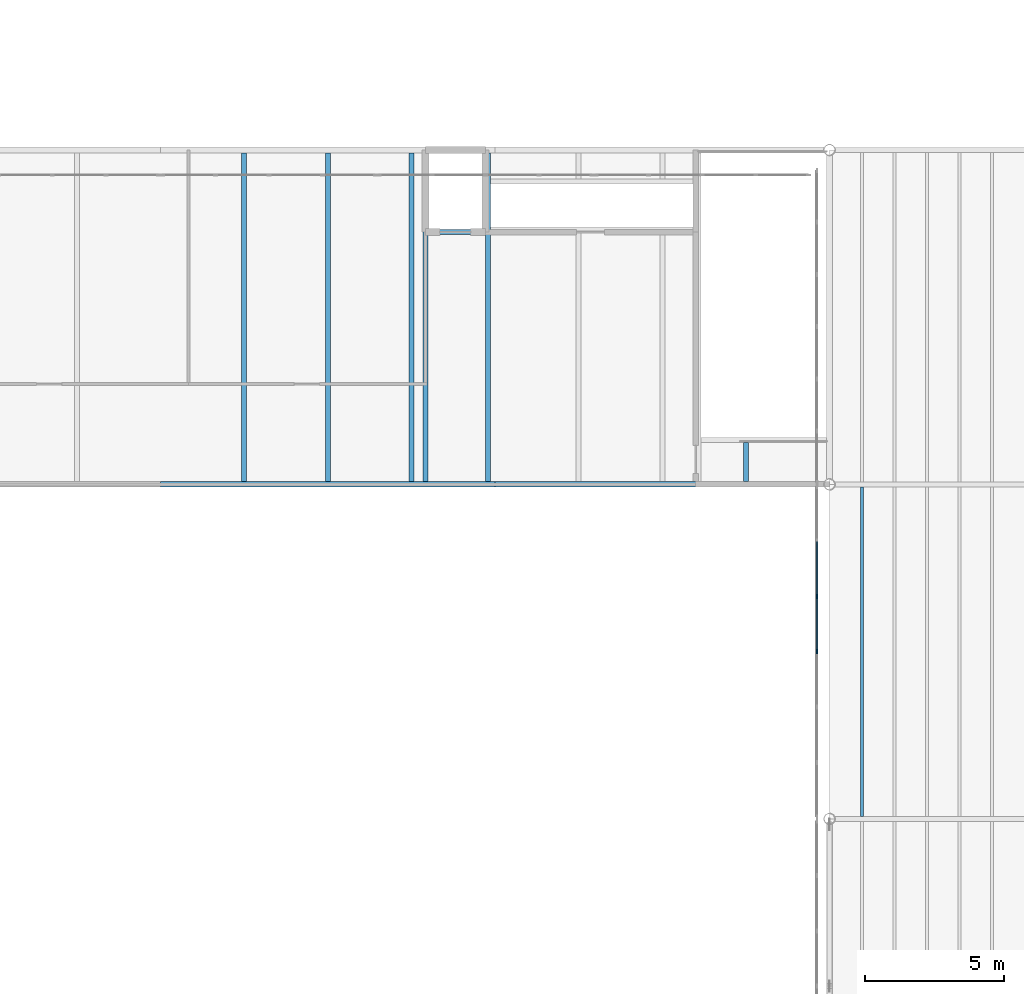
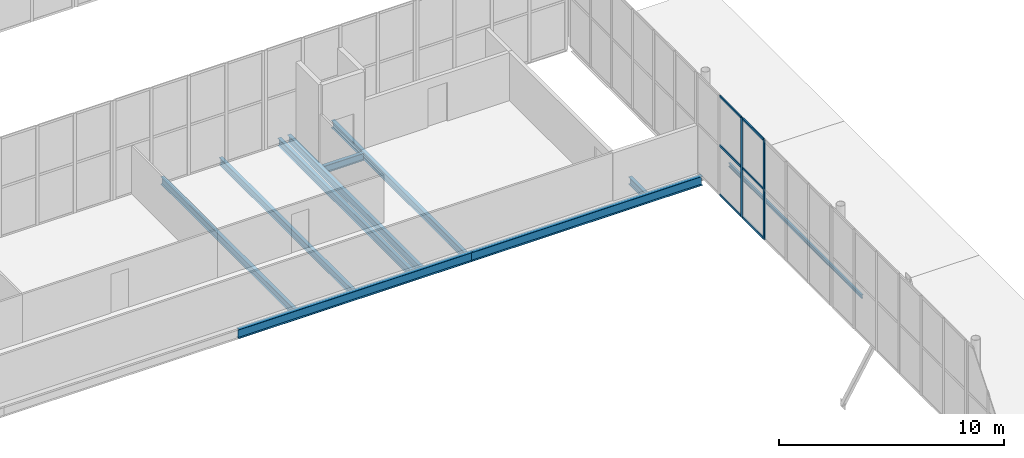
# One storey, part 57 of 170: 9 beams, 9 members, 1 element without a shape of its own.
"""IFC4 building model written with IfcOpenShell, lengths in metres."""

from ifc_helpers import new_model, si_unit, direction, frame, origin, origin_2d, place, context, subcontext, project, spatial, rectangle, i_section, extrude, material, layer, layer_set, material_profile, profile_set, type_object, element, aggregate, save


model = new_model("IFC4")

# Units and contexts
model_context = context("Model", 3, precision=1e-05, world=origin(), true_north=direction((0.0, 1.0)))
body_context = subcontext(model_context, "Body", "Model", "MODEL_VIEW")
ifc_project = project(units=[si_unit("LENGTHUNIT", "METRE"), si_unit("AREAUNIT", "SQUARE_METRE"), si_unit("VOLUMEUNIT", "CUBIC_METRE"), si_unit("PLANEANGLEUNIT", "RADIAN"), si_unit("MASSUNIT", "GRAM", prefix="KILO")], contexts=[model_context])

# Site, building, storey
site_placement = place(None, origin())
site = spatial("IfcSite", under=ifc_project, at=site_placement, CompositionType="ELEMENT")
building_placement = place(site_placement, origin())
building = spatial("IfcBuilding", under=site, at=building_placement, Name="Ravi Spectrum Wholesale Market", CompositionType="ELEMENT")
storey_placement = place(building_placement, frame((0.0, 0.0, 5.39990234375)))
storey = spatial("IfcBuildingStorey", under=building, at=storey_placement, Name="L01", CompositionType="ELEMENT", Elevation=5.39990234375)

# Member
ifc_material_1 = material(Name="Steel S355", Category="steel")
ifc_material_profile_1 = material_profile(ifc_material_1, i_section(OverallWidth=0.10009765625, OverallDepth=0.199951171875, WebThickness=0.005615234375, FlangeThickness=0.008544921875, at=origin_2d()))
ifc_profile_set_1 = profile_set([ifc_material_profile_1], Name="Steel S355")
member_type_1 = type_object("IfcMemberType", Name="IPE 200 purlin", PredefinedType="PURLIN", material=ifc_profile_set_1)
member_1_placement = place(storey_placement, frame((199.166748046875, 102.0849609375, -0.099853515625), z_axis=(0.0, 1.0, 0.0), x_axis=(-1.0, 0.0, 0.0)))
element("IfcMember", 1, at=member_1_placement, inside=storey, type_object=member_type_1, Name="H2-MB-L01-019", PredefinedType="PURLIN", context=body_context, shape_type="SweptSolid", body=[
    extrude(i_section(OverallWidth=0.10009765625, OverallDepth=0.199951171875, WebThickness=0.005615234375, FlangeThickness=0.008544921875, at=origin_2d()), origin(), (0.0, 0.0, 1.0), 11.830078125),
])

# Beams
ifc_material_2 = material(Name="Steel S355", Category="steel")
ifc_material_profile_2 = material_profile(ifc_material_2, i_section(OverallWidth=0.179931640625, OverallDepth=0.39990234375, WebThickness=0.008544921875, FlangeThickness=0.013427734375, at=origin_2d()))
ifc_profile_set_2 = profile_set([ifc_material_profile_2], Name="Steel S355")
beam_type_1 = type_object("IfcBeamType", Name="IPE 400 beam", PredefinedType="BEAM", material=ifc_profile_set_2)
for number, where, z_axis, x_axis, name in (
    (2, (177.0, 114.10009765625, -0.449951171875), (0.0, 1.0, 0.0), (-1.0, 0.0, 0.0), "H2-BM-L01-018"),
    (3, (180.0, 114.10009765625, -0.449951171875), (0.0, 1.0, 0.0), (-1.0, 0.0, 0.0), "H2-BM-L01-019"),
    (4, (183.0, 114.10009765625, -0.449951171875), (0.0, 1.0, 0.0), (-1.0, 0.0, 0.0), "H2-BM-L01-020"),
    (5, (183.5, 114.10009765625, -0.449951171875), (0.0, 1.0, 0.0), (-1.0, 0.0, 0.0), "H2-BM-L01-021"),
    (6, (185.75, 114.10009765625, -0.449951171875), (0.0, 1.0, 0.0), (-1.0, 0.0, 0.0), "H2-BM-L01-022"),
):
    element("IfcBeam", number, at=place(storey_placement, frame(where, z_axis=z_axis, x_axis=x_axis)), inside=storey, type_object=beam_type_1, Name=name, PredefinedType="BEAM", context=body_context, shape_type="SweptSolid", body=[
        extrude(i_section(OverallWidth=0.179931640625, OverallDepth=0.39990234375, WebThickness=0.008544921875, FlangeThickness=0.013427734375, at=origin_2d()), origin(), (0.0, 0.0, 1.0), 11.7998046875),
    ])
beam_1_placement = place(storey_placement, frame((195.0, 114.10009765625, -0.449951171875), z_axis=(0.0, 1.0, 0.0), x_axis=(-1.0, 0.0, 0.0)))
element("IfcBeam", 7, at=beam_1_placement, inside=storey, type_object=beam_type_1, Name="H2-BM-L01-028", PredefinedType="BEAM", context=body_context, shape_type="SweptSolid", body=[
    extrude(i_section(OverallWidth=0.179931640625, OverallDepth=0.39990234375, WebThickness=0.008544921875, FlangeThickness=0.013427734375, at=origin_2d()), origin(), (0.0, 0.0, 1.0), 1.409912109375),
])
beam_2_placement = place(storey_placement, frame((183.590087890625, 123.050048828125, -0.449951171875), z_axis=(1.0, 0.0, 0.0), x_axis=(0.0, 1.0, 0.0)))
element("IfcBeam", 8, at=beam_2_placement, inside=storey, type_object=beam_type_1, Name="H2-BM-L01-030", PredefinedType="BEAM", context=body_context, shape_type="SweptSolid", body=[
    extrude(i_section(OverallWidth=0.179931640625, OverallDepth=0.39990234375, WebThickness=0.008544921875, FlangeThickness=0.013427734375, at=origin_2d()), origin(), (0.0, 0.0, 1.0), 2.06982421875),
])
ifc_material_3 = material(Name="Steel S355", Category="steel")
ifc_material_profile_3 = material_profile(ifc_material_3, i_section(OverallWidth=0.199951171875, OverallDepth=0.5, WebThickness=0.01025390625, FlangeThickness=0.01611328125, at=origin_2d()))
ifc_profile_set_3 = profile_set([ifc_material_profile_3], Name="Steel S355")
beam_type_2 = type_object("IfcBeamType", Name="IPE 500 girder", PredefinedType="BEAM", material=ifc_profile_set_3)
beam_3_placement = place(storey_placement, frame((174.0, 114.0, -0.5), z_axis=(1.0, 0.0, 0.0), x_axis=(0.0, 1.0, 0.0)))
element("IfcBeam", 9, at=beam_3_placement, inside=storey, type_object=beam_type_2, Name="H2-BM-L01-003", PredefinedType="BEAM", context=body_context, shape_type="SweptSolid", body=[
    extrude(i_section(OverallWidth=0.199951171875, OverallDepth=0.5, WebThickness=0.01025390625, FlangeThickness=0.01611328125, at=origin_2d()), origin(), (0.0, 0.0, 1.0), 12.0),
])
beam_4_placement = place(storey_placement, frame((186.0, 114.0, -0.5), z_axis=(1.0, 0.0, 0.0), x_axis=(0.0, 1.0, 0.0)))
element("IfcBeam", 10, at=beam_4_placement, inside=storey, type_object=beam_type_2, Name="H2-BM-L01-004", PredefinedType="BEAM", context=body_context, shape_type="SweptSolid", body=[
    extrude(i_section(OverallWidth=0.199951171875, OverallDepth=0.5, WebThickness=0.01025390625, FlangeThickness=0.01611328125, at=origin_2d()), origin(), (0.0, 0.0, 1.0), 11.796875),
])

# Curtain wall, members
ifc_material_4 = material(Name="Aluminium 6063-T6", Category="aluminium")
ifc_layer = layer(ifc_material_4, 0.14990234375)
ifc_layer_set = layer_set([ifc_layer], Name="Aluminium 6063-T6")
curtain_wall_type = type_object("IfcCurtainWallType", Name="Curtain wall 150", PredefinedType="NOTDEFINED", material=ifc_layer_set)
curtain_wall_placement = place(storey_placement, origin())
curtain_wall = element("IfcCurtainWall", 11, at=curtain_wall_placement, inside=storey, type_object=curtain_wall_type, Name="H2-CW-L01-007", PredefinedType="NOTDEFINED")
ifc_material_5 = material(Name="Aluminium 6063-T6", Category="aluminium")
ifc_material_profile_4 = material_profile(ifc_material_5, rectangle(XDim=0.06005859375, YDim=0.159912109375, at=origin_2d()))
ifc_profile_set_4 = profile_set([ifc_material_profile_4], Name="Aluminium 6063-T6")
member_type_2 = type_object("IfcMemberType", Name="Mullion 60 x 160", PredefinedType="MULLION", material=ifc_profile_set_4)
member_2_placement = place(storey_placement, frame((197.546875, 108.0, 0.0), z_axis=(0.0, 0.0, 1.0), x_axis=(-1.0, 0.0, 0.0)))
member_2 = element("IfcMember", 12, at=member_2_placement, type_object=member_type_2, Name="H2-CW-L01-007 mullion 4", PredefinedType="MULLION", context=body_context, shape_type="SweptSolid", body=[
    extrude(rectangle(XDim=0.06005859375, YDim=0.159912109375, at=origin_2d()), origin(), (0.0, 0.0, 1.0), 5.400146484375),
])
member_3_placement = place(storey_placement, frame((197.546875, 109.986572265625, 0.0), z_axis=(0.0, 0.0, 1.0), x_axis=(-1.0, 0.0, 0.0)))
member_3 = element("IfcMember", 13, at=member_3_placement, type_object=member_type_2, Name="H2-CW-L01-007 mullion 5", PredefinedType="MULLION", context=body_context, shape_type="SweptSolid", body=[
    extrude(rectangle(XDim=0.06005859375, YDim=0.159912109375, at=origin_2d()), origin(), (0.0, 0.0, 1.0), 5.400146484375),
])
ifc_material_6 = material(Name="Aluminium 6063-T6", Category="aluminium")
ifc_material_profile_5 = material_profile(ifc_material_6, rectangle(XDim=0.06005859375, YDim=0.1201171875, at=origin_2d()))
ifc_profile_set_5 = profile_set([ifc_material_profile_5], Name="Aluminium 6063-T6")
member_type_3 = type_object("IfcMemberType", Name="Transom 60 x 120", PredefinedType="USERDEFINED", material=ifc_profile_set_5)
member_4_placement = place(storey_placement, frame((197.546875, 108.030029296875, 0.030029296875), z_axis=(0.0, 1.0, 0.0), x_axis=(-1.0, 0.0, 0.0)))
member_4 = element("IfcMember", 14, at=member_4_placement, type_object=member_type_3, Name="H2-CW-L01-007 transom 4.1", ObjectType="TRANSOM", PredefinedType="USERDEFINED", context=body_context, shape_type="SweptSolid", body=[
    extrude(rectangle(XDim=0.06005859375, YDim=0.1201171875, at=origin_2d()), origin(), (0.0, 0.0, 1.0), 1.9267578125),
])
member_5_placement = place(storey_placement, frame((197.546875, 108.030029296875, 2.7001953125), z_axis=(0.0, 1.0, 0.0), x_axis=(-1.0, 0.0, 0.0)))
member_5 = element("IfcMember", 15, at=member_5_placement, type_object=member_type_3, Name="H2-CW-L01-007 transom 4.2", ObjectType="TRANSOM", PredefinedType="USERDEFINED", context=body_context, shape_type="SweptSolid", body=[
    extrude(rectangle(XDim=0.06005859375, YDim=0.1201171875, at=origin_2d()), origin(), (0.0, 0.0, 1.0), 1.9267578125),
])
member_6_placement = place(storey_placement, frame((197.546875, 108.030029296875, 5.3701171875), z_axis=(0.0, 1.0, 0.0), x_axis=(-1.0, 0.0, 0.0)))
member_6 = element("IfcMember", 16, at=member_6_placement, type_object=member_type_3, Name="H2-CW-L01-007 transom 4.3", ObjectType="TRANSOM", PredefinedType="USERDEFINED", context=body_context, shape_type="SweptSolid", body=[
    extrude(rectangle(XDim=0.06005859375, YDim=0.1201171875, at=origin_2d()), origin(), (0.0, 0.0, 1.0), 1.9267578125),
])
member_7_placement = place(storey_placement, frame((197.546875, 110.0166015625, 0.030029296875), z_axis=(0.0, 1.0, 0.0), x_axis=(-1.0, 0.0, 0.0)))
member_7 = element("IfcMember", 17, at=member_7_placement, type_object=member_type_3, Name="H2-CW-L01-007 transom 5.1", ObjectType="TRANSOM", PredefinedType="USERDEFINED", context=body_context, shape_type="SweptSolid", body=[
    extrude(rectangle(XDim=0.06005859375, YDim=0.1201171875, at=origin_2d()), origin(), (0.0, 0.0, 1.0), 1.9267578125),
])
member_8_placement = place(storey_placement, frame((197.546875, 110.0166015625, 2.7001953125), z_axis=(0.0, 1.0, 0.0), x_axis=(-1.0, 0.0, 0.0)))
member_8 = element("IfcMember", 18, at=member_8_placement, type_object=member_type_3, Name="H2-CW-L01-007 transom 5.2", ObjectType="TRANSOM", PredefinedType="USERDEFINED", context=body_context, shape_type="SweptSolid", body=[
    extrude(rectangle(XDim=0.06005859375, YDim=0.1201171875, at=origin_2d()), origin(), (0.0, 0.0, 1.0), 1.9267578125),
])
member_9_placement = place(storey_placement, frame((197.546875, 110.0166015625, 5.3701171875), z_axis=(0.0, 1.0, 0.0), x_axis=(-1.0, 0.0, 0.0)))
member_9 = element("IfcMember", 19, at=member_9_placement, type_object=member_type_3, Name="H2-CW-L01-007 transom 5.3", ObjectType="TRANSOM", PredefinedType="USERDEFINED", context=body_context, shape_type="SweptSolid", body=[
    extrude(rectangle(XDim=0.06005859375, YDim=0.1201171875, at=origin_2d()), origin(), (0.0, 0.0, 1.0), 1.9267578125),
])
aggregate(curtain_wall, [member_2, member_3, member_4, member_5, member_6, member_7, member_8, member_9])

save(model, "model.ifc")
